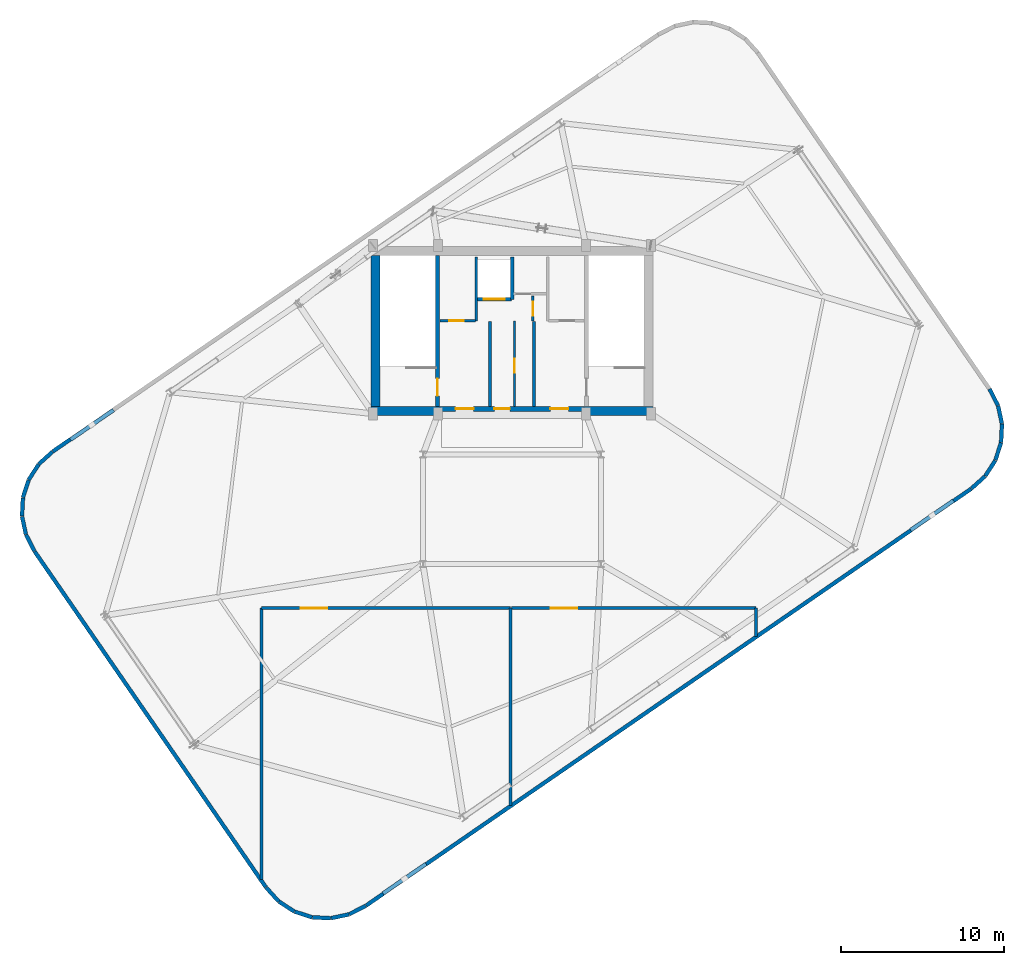
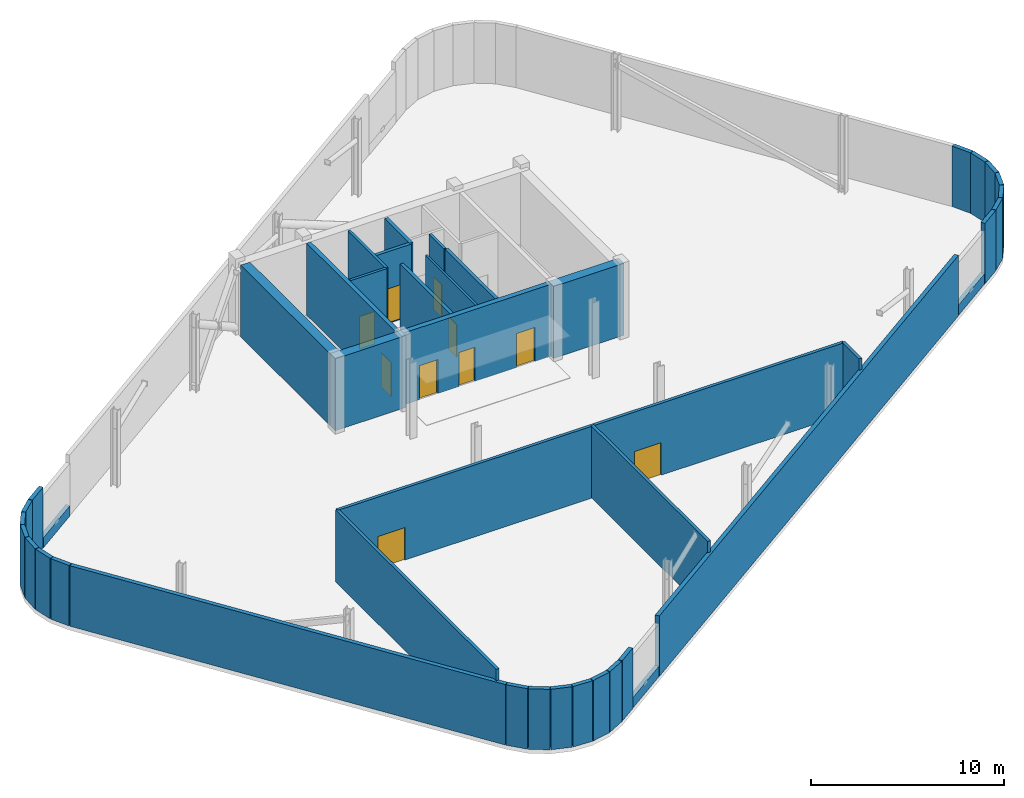
# One storey, part 8 of 10: 44 walls, 10 doors, 10 openings.
"""IFC4 building model written with IfcOpenShell, lengths in metres."""

from ifc_helpers import new_model, si_unit, direction, frame, frame_2d, origin, place, context, subcontext, project, spatial, rectangle, extrude, material, layer, layer_set, type_object, element, fill, save


model = new_model("IFC4")

# Units and contexts
model_context = context("Model", 3, precision=1e-05, world=origin(), true_north=direction((0.0, 1.0)))
body_context = subcontext(model_context, "Body", "Model", "MODEL_VIEW")
ifc_project = project(units=[si_unit("LENGTHUNIT", "METRE"), si_unit("AREAUNIT", "SQUARE_METRE"), si_unit("VOLUMEUNIT", "CUBIC_METRE"), si_unit("PLANEANGLEUNIT", "RADIAN"), si_unit("MASSUNIT", "GRAM", prefix="KILO")], contexts=[model_context])

# Site, building, storey
site_placement = place(None, origin())
site = spatial("IfcSite", under=ifc_project, at=site_placement, CompositionType="ELEMENT")
building_placement = place(site_placement, origin())
building = spatial("IfcBuilding", under=site, at=building_placement, Name="Varnelok Gate Tower", CompositionType="ELEMENT")
storey_placement = place(building_placement, frame((0.0, 0.0, 305.89990234375)))
storey = spatial("IfcBuildingStorey", under=building, at=storey_placement, Name="L78", CompositionType="ELEMENT", Elevation=305.89990234375)

# Walls
ifc_material_1 = material(Name="Concrete C45/55", Category="concrete")
ifc_layer_1 = layer(ifc_material_1, 0.239990234375)
ifc_layer_set_1 = layer_set([ifc_layer_1], Name="Concrete C45/55")
wall_type_1 = type_object("IfcWallType", Name="EW-PLANT-240", PredefinedType="SOLIDWALL", material=ifc_layer_set_1)
for number, where, z_axis, x_axis, name in (
    (1, (33.940673828125, 1.204345703125, 0.0), (0.0, 0.0, 1.0), (-0.823538491217, -0.567260393015, 0.0), "L78 Plant Louvre Sill Wall S1"),
    (2, (66.222900390625, 23.44140625, 0.0), (0.0, 0.0, 1.0), (-0.823538491217, -0.567260393015, 0.0), "L78 Plant Louvre Sill Wall S2"),
    (3, (12.177001953125, 27.15869140625, 0.0), (0.0, 0.0, 1.0), (0.823538491217, 0.567260393015, 0.0), "L78 Plant Louvre Sill Wall N1"),
):
    element("IfcWall", number, at=place(storey_placement, frame(where, z_axis=z_axis, x_axis=x_axis)), inside=storey, type_object=wall_type_1, Name=name, PredefinedType="SOLIDWALL", context=body_context, shape_type="SweptSolid", body=[
        extrude(rectangle(XDim=3.199951171875, YDim=0.239990234375, at=frame_2d((1.60009765625, 0.0))), origin(), (0.0, 0.0, 1.0), 0.650146484375),
    ])
wall_1_placement = place(storey_placement, frame((24.14990234375, -0.23583984375, 0.0), z_axis=(0.0, 0.0, 1.0), x_axis=(0.669796287773, -0.742544902942, 0.0)))
element("IfcWall", 4, at=wall_1_placement, inside=storey, type_object=wall_type_1, Name="L78 Perimeter Facade Closure Wall 1", PredefinedType="SOLIDWALL", context=body_context, shape_type="SweptSolid", body=[
    extrude(rectangle(XDim=1.151123046875, YDim=0.239990234375, at=frame_2d((0.57568359375, 0.0))), origin(), (0.0, 0.0, 1.0), 3.820068359375),
])
wall_2_placement = place(storey_placement, frame((24.94189453125, -1.10400390625, 0.0), z_axis=(0.0, 0.0, 1.0), x_axis=(0.839200958709, -0.54382143292, 0.0)))
element("IfcWall", 5, at=wall_2_placement, inside=storey, type_object=wall_type_1, Name="L78 Perimeter Facade Closure Wall 2", PredefinedType="SOLIDWALL", context=body_context, shape_type="SweptSolid", body=[
    extrude(rectangle(XDim=1.118408203125, YDim=0.239990234375, at=frame_2d((0.55908203125, 0.0))), origin(), (0.0, 0.0, 1.0), 3.820068359375),
])
for number, where, z_axis, x_axis, name in (
    (6, (25.904052734375, -1.7197265625, 0.0), (0.0, 0.0, 1.0), (0.951356078726, -0.308093510921, 0.0), "L78 Perimeter Facade Closure Wall 3"),
    (7, (26.992919921875, -2.0654296875, 0.0), (0.0, 0.0, 1.0), (0.998682791079, -0.051309675536, 0.0), "L78 Perimeter Facade Closure Wall 4"),
):
    element("IfcWall", number, at=place(storey_placement, frame(where, z_axis=z_axis, x_axis=x_axis)), inside=storey, type_object=wall_type_1, Name=name, PredefinedType="SOLIDWALL", context=body_context, shape_type="SweptSolid", body=[
        extrude(rectangle(XDim=1.1181640625, YDim=0.239990234375, at=frame_2d((0.55908203125, 0.0))), origin(), (0.0, 0.0, 1.0), 3.820068359375),
    ])
wall_3_placement = place(storey_placement, frame((28.1337890625, -2.11767578125, 0.0), z_axis=(0.0, 0.0, 1.0), x_axis=(0.977936381717, 0.208902927969, 0.0)))
element("IfcWall", 8, at=wall_3_placement, inside=storey, type_object=wall_type_1, Name="L78 Perimeter Facade Closure Wall 5", PredefinedType="SOLIDWALL", context=body_context, shape_type="SweptSolid", body=[
    extrude(rectangle(XDim=1.118408203125, YDim=0.239990234375, at=frame_2d((0.55908203125, 0.0))), origin(), (0.0, 0.0, 1.0), 3.820068359375),
])
wall_4_placement = place(storey_placement, frame((29.249755859375, -1.872802734375, 0.0), z_axis=(0.0, 0.0, 1.0), x_axis=(0.890446396874, 0.45508813904, 0.0)))
element("IfcWall", 9, at=wall_4_placement, inside=storey, type_object=wall_type_1, Name="L78 Perimeter Facade Closure Wall 6", PredefinedType="SOLIDWALL", context=body_context, shape_type="SweptSolid", body=[
    extrude(rectangle(XDim=1.1259765625, YDim=0.239990234375, at=frame_2d((0.56298828125, 0.0))), origin(), (0.0, 0.0, 1.0), 3.820068359375),
])
wall_5_placement = place(storey_placement, frame((30.273193359375, -1.34619140625, 0.0), z_axis=(0.0, 0.0, 1.0), x_axis=(0.823445590054, 0.567395241626, 0.0)))
element("IfcWall", 10, at=wall_5_placement, inside=storey, type_object=wall_type_1, Name="L78 Perimeter Facade Closure Wall 7", PredefinedType="SOLIDWALL", context=body_context, shape_type="SweptSolid", body=[
    extrude(rectangle(XDim=1.26708984375, YDim=0.239990234375, at=frame_2d((0.633544921875, 0.0))), origin(), (0.0, 0.0, 1.0), 3.820068359375),
])
wall_6_placement = place(storey_placement, frame((33.951904296875, 1.18798828125, 0.0), z_axis=(0.0, 0.0, 1.0), x_axis=(0.823534980344, 0.567265490005, 0.0)))
element("IfcWall", 11, at=wall_6_placement, inside=storey, type_object=wall_type_1, Name="L78 Perimeter Facade Closure Wall 8", PredefinedType="SOLIDWALL", context=body_context, shape_type="SweptSolid", body=[
    extrude(rectangle(XDim=36.010009765625, YDim=0.239990234375, at=frame_2d((18.0048828125, 0.0))), origin(), (0.0, 0.0, 1.0), 3.820068359375),
])
wall_7_placement = place(storey_placement, frame((66.22607421875, 23.419189453125, 0.0), z_axis=(0.0, 0.0, 1.0), x_axis=(0.823532901034, 0.567268508657, 0.0)))
element("IfcWall", 12, at=wall_7_placement, inside=storey, type_object=wall_type_1, Name="L78 Perimeter Facade Closure Wall 9", PredefinedType="SOLIDWALL", context=body_context, shape_type="SweptSolid", body=[
    extrude(rectangle(XDim=1.30224609375, YDim=0.239990234375, at=frame_2d((0.651123046875, 0.0))), origin(), (0.0, 0.0, 1.0), 3.820068359375),
])
wall_8_placement = place(storey_placement, frame((67.317138671875, 24.174560546875, 0.0), z_axis=(0.0, 0.0, 1.0), x_axis=(0.742485154891, 0.669862519303, 0.0)))
element("IfcWall", 13, at=wall_8_placement, inside=storey, type_object=wall_type_1, Name="L78 Perimeter Facade Closure Wall 10", PredefinedType="SOLIDWALL", context=body_context, shape_type="SweptSolid", body=[
    extrude(rectangle(XDim=1.126220703125, YDim=0.239990234375, at=frame_2d((0.56298828125, 0.0))), origin(), (0.0, 0.0, 1.0), 3.820068359375),
])
for number, where, z_axis, x_axis, name in (
    (14, (68.166748046875, 24.949951171875, 0.0), (0.0, 0.0, 1.0), (0.543667655746, 0.839300589834, 0.0), "L78 Perimeter Facade Closure Wall 11"),
    (15, (68.782470703125, 25.912109375, 0.0), (0.0, 0.0, 1.0), (0.308093510921, 0.951356078726, 0.0), "L78 Perimeter Facade Closure Wall 12"),
):
    element("IfcWall", number, at=place(storey_placement, frame(where, z_axis=z_axis, x_axis=x_axis)), inside=storey, type_object=wall_type_1, Name=name, PredefinedType="SOLIDWALL", context=body_context, shape_type="SweptSolid", body=[
        extrude(rectangle(XDim=1.1181640625, YDim=0.239990234375, at=frame_2d((0.55908203125, 0.0))), origin(), (0.0, 0.0, 1.0), 3.820068359375),
    ])
wall_9_placement = place(storey_placement, frame((69.128173828125, 27.0009765625, 0.0), z_axis=(0.0, 0.0, 1.0), x_axis=(0.051103050995, 0.998693385469, 0.0)))
element("IfcWall", 16, at=wall_9_placement, inside=storey, type_object=wall_type_1, Name="L78 Perimeter Facade Closure Wall 13", PredefinedType="SOLIDWALL", context=body_context, shape_type="SweptSolid", body=[
    extrude(rectangle(XDim=1.117919921875, YDim=0.239990234375, at=frame_2d((0.55908203125, 0.0))), origin(), (0.0, 0.0, 1.0), 3.820068359375),
])
wall_10_placement = place(storey_placement, frame((69.18017578125, 28.141845703125, 0.0), z_axis=(0.0, 0.0, 1.0), x_axis=(-0.208902927969, 0.977936381717, 0.0)))
element("IfcWall", 17, at=wall_10_placement, inside=storey, type_object=wall_type_1, Name="L78 Perimeter Facade Closure Wall 14", PredefinedType="SOLIDWALL", context=body_context, shape_type="SweptSolid", body=[
    extrude(rectangle(XDim=1.118408203125, YDim=0.239990234375, at=frame_2d((0.55908203125, 0.0))), origin(), (0.0, 0.0, 1.0), 3.820068359375),
])
wall_11_placement = place(storey_placement, frame((68.935302734375, 29.2578125, 0.0), z_axis=(0.0, 0.0, 1.0), x_axis=(-0.45508813904, 0.890446396874, 0.0)))
element("IfcWall", 18, at=wall_11_placement, inside=storey, type_object=wall_type_1, Name="L78 Perimeter Facade Closure Wall 15", PredefinedType="SOLIDWALL", context=body_context, shape_type="SweptSolid", body=[
    extrude(rectangle(XDim=1.1259765625, YDim=0.239990234375, at=frame_2d((0.56298828125, 0.0))), origin(), (0.0, 0.0, 1.0), 3.820068359375),
])
wall_12_placement = place(storey_placement, frame((12.173828125, 27.180908203125, 0.0), z_axis=(0.0, 0.0, 1.0), x_axis=(-0.823532901034, -0.567268508657, 0.0)))
element("IfcWall", 19, at=wall_12_placement, inside=storey, type_object=wall_type_1, Name="L78 Perimeter Facade Closure Wall 25", PredefinedType="SOLIDWALL", context=body_context, shape_type="SweptSolid", body=[
    extrude(rectangle(XDim=1.30224609375, YDim=0.239990234375, at=frame_2d((0.651123046875, 0.0))), origin(), (0.0, 0.0, 1.0), 3.820068359375),
])
wall_13_placement = place(storey_placement, frame((11.0830078125, 26.42529296875, 0.0), z_axis=(0.0, 0.0, 1.0), x_axis=(-0.742592981257, -0.66974298368, 0.0)))
element("IfcWall", 20, at=wall_13_placement, inside=storey, type_object=wall_type_1, Name="L78 Perimeter Facade Closure Wall 26", PredefinedType="SOLIDWALL", context=body_context, shape_type="SweptSolid", body=[
    extrude(rectangle(XDim=1.1259765625, YDim=0.239990234375, at=frame_2d((0.56298828125, 0.0))), origin(), (0.0, 0.0, 1.0), 3.820068359375),
])
for number, where, z_axis, x_axis, name in (
    (21, (10.233154296875, 25.650146484375, 0.0), (0.0, 0.0, 1.0), (-0.543667655746, -0.839300589834, 0.0), "L78 Perimeter Facade Closure Wall 27"),
    (22, (9.61767578125, 24.687744140625, 0.0), (0.0, 0.0, 1.0), (-0.308093510921, -0.951356078726, 0.0), "L78 Perimeter Facade Closure Wall 28"),
    (23, (9.27197265625, 23.59912109375, 0.0), (0.0, 0.0, 1.0), (-0.051309675536, -0.998682791079, 0.0), "L78 Perimeter Facade Closure Wall 29"),
    (24, (9.2197265625, 22.4580078125, 0.0), (0.0, 0.0, 1.0), (0.208947532433, -0.977926852423, 0.0), "L78 Perimeter Facade Closure Wall 30"),
):
    element("IfcWall", number, at=place(storey_placement, frame(where, z_axis=z_axis, x_axis=x_axis)), inside=storey, type_object=wall_type_1, Name=name, PredefinedType="SOLIDWALL", context=body_context, shape_type="SweptSolid", body=[
        extrude(rectangle(XDim=1.1181640625, YDim=0.239990234375, at=frame_2d((0.55908203125, 0.0))), origin(), (0.0, 0.0, 1.0), 3.820068359375),
    ])
wall_14_placement = place(storey_placement, frame((9.464599609375, 21.34228515625, 0.0), z_axis=(0.0, 0.0, 1.0), x_axis=(0.45508813904, -0.890446396874, 0.0)))
element("IfcWall", 25, at=wall_14_placement, inside=storey, type_object=wall_type_1, Name="L78 Perimeter Facade Closure Wall 31", PredefinedType="SOLIDWALL", context=body_context, shape_type="SweptSolid", body=[
    extrude(rectangle(XDim=1.1259765625, YDim=0.239990234375, at=frame_2d((0.56298828125, 0.0))), origin(), (0.0, 0.0, 1.0), 3.820068359375),
])
wall_15_placement = place(storey_placement, frame((9.9912109375, 20.31884765625, 0.0), z_axis=(0.0, 0.0, 1.0), x_axis=(0.567271592362, -0.823530776898, 0.0)))
element("IfcWall", 26, at=wall_15_placement, inside=storey, type_object=wall_type_1, Name="L78 Perimeter Facade Closure Wall 32", PredefinedType="SOLIDWALL", context=body_context, shape_type="SweptSolid", body=[
    extrude(rectangle(XDim=24.934326171875, YDim=0.239990234375, at=frame_2d((12.46728515625, 0.0))), origin(), (0.0, 0.0, 1.0), 3.820068359375),
])

# Wall, opening, door
ifc_material_2 = material(Name="Gypsum Plasterboard Acoustic Partition", Category="gypsum")
ifc_layer_2 = layer(ifc_material_2, 0.179931640625)
ifc_layer_set_2 = layer_set([ifc_layer_2], Name="Gypsum Plasterboard Acoustic Partition")
wall_type_2 = type_object("IfcWallType", Name="PW-CORR-180", PredefinedType="PARTITIONING", material=ifc_layer_set_2)
wall_16_placement = place(storey_placement, frame((23.8798828125, 16.85009765625, 0.0), z_axis=(0.0, 0.0, 1.0), x_axis=(1.0, 0.0, 0.0)))
wall_16 = element("IfcWall", 27, at=wall_16_placement, inside=storey, type_object=wall_type_2, Name="Interior Partition", PredefinedType="PARTITIONING", context=body_context, shape_type="SweptSolid", body=[
    extrude(rectangle(XDim=15.240234375, YDim=0.179931640625, at=frame_2d((7.6201171875, 0.0))), origin(), (0.0, 0.0, 1.0), 4.5400390625),
])
opening_1_placement = place(wall_16_placement, frame((2.39990234375, 0.0, 0.0)))
opening_1 = element("IfcOpeningElement", 28, at=opening_1_placement, cuts=wall_16, Name="Opening D-PL", PredefinedType="OPENING", context=body_context, shape_type="SweptSolid", body=[
    extrude(rectangle(XDim=1.60009765625, YDim=2.050048828125, at=frame_2d((0.800048828125, 1.02490234375))), frame((0.0, 0.099853515625, 0.0), z_axis=(0.0, -1.0, 0.0), x_axis=(1.0, 0.0, 0.0)), (0.0, 0.0, 1.0), 0.199951171875),
])
ifc_material_3 = material(Name="Galvanized Steel Grade S350GD", Category="steel")
door_type_1 = type_object("IfcDoorType", Name="DR-PLANT-1600", OperationType="DOUBLE_DOOR_SINGLE_SWING", PredefinedType="DOOR", material=ifc_material_3)
door_1_placement = place(opening_1_placement, origin())
door_1 = element("IfcDoor", 29, at=door_1_placement, inside=storey, type_object=door_type_1, Name="L78 Mechanical Plant Bay 1 Double Door", OperationType="DOUBLE_DOOR_SINGLE_SWING", OverallHeight=2.050048828125, OverallWidth=1.60009765625, PredefinedType="DOOR", context=body_context, shape_type="SweptSolid", body=[
    extrude(rectangle(XDim=1.60009765625, YDim=2.050048828125, at=frame_2d((0.800048828125, 1.02490234375))), frame((0.0, 0.02490234375, 0.0), z_axis=(0.0, -1.0, 0.0), x_axis=(1.0, 0.0, 0.0)), (0.0, 0.0, 1.0), 0.050048828125),
])
fill(opening_1, door_1)

# Walls
wall_17_placement = place(storey_placement, frame((39.1201171875, 4.772216796875, 0.0), z_axis=(0.0, 0.0, 1.0), x_axis=(0.0, 1.0, 0.0)))
element("IfcWall", 30, at=wall_17_placement, inside=storey, type_object=wall_type_2, Name="Interior Partition", PredefinedType="PARTITIONING", context=body_context, shape_type="SweptSolid", body=[
    extrude(rectangle(XDim=12.077880859375, YDim=0.179931640625, at=frame_2d((6.0390625, 0.0))), origin(), (0.0, 0.0, 1.0), 4.5400390625),
])
wall_18_placement = place(storey_placement, frame((23.8798828125, 0.25, 0.0), z_axis=(0.0, 0.0, 1.0), x_axis=(0.0, 1.0, 0.0)))
element("IfcWall", 31, at=wall_18_placement, inside=storey, type_object=wall_type_2, Name="Interior Partition", PredefinedType="PARTITIONING", context=body_context, shape_type="SweptSolid", body=[
    extrude(rectangle(XDim=16.60009765625, YDim=0.179931640625, at=frame_2d((8.300048828125, 0.0))), origin(), (0.0, 0.0, 1.0), 4.5400390625),
])

# Wall, opening, door
wall_19_placement = place(storey_placement, frame((39.179931640625, 16.85009765625, 0.0), z_axis=(0.0, 0.0, 1.0), x_axis=(1.0, 0.0, 0.0)))
wall_19 = element("IfcWall", 32, at=wall_19_placement, inside=storey, type_object=wall_type_2, Name="Interior Partition", PredefinedType="PARTITIONING", context=body_context, shape_type="SweptSolid", body=[
    extrude(rectangle(XDim=14.940185546875, YDim=0.179931640625, at=frame_2d((7.47021484375, 0.0))), origin(), (0.0, 0.0, 1.0), 4.5400390625),
])
opening_2_placement = place(wall_19_placement, frame((2.39990234375, 0.0, 0.0)))
opening_2 = element("IfcOpeningElement", 33, at=opening_2_placement, cuts=wall_19, Name="Opening D-PL", PredefinedType="OPENING", context=body_context, shape_type="SweptSolid", body=[
    extrude(rectangle(XDim=1.60009765625, YDim=2.050048828125, at=frame_2d((0.800048828125, 1.02490234375))), frame((0.0, 0.099853515625, 0.0), z_axis=(0.0, -1.0, 0.0), x_axis=(1.0, 0.0, 0.0)), (0.0, 0.0, 1.0), 0.199951171875),
])
door_2_placement = place(opening_2_placement, origin())
door_2 = element("IfcDoor", 34, at=door_2_placement, inside=storey, type_object=door_type_1, Name="L78 Mechanical Plant Bay 2 Double Door", OperationType="DOUBLE_DOOR_SINGLE_SWING", OverallHeight=2.050048828125, OverallWidth=1.60009765625, PredefinedType="DOOR", context=body_context, shape_type="SweptSolid", body=[
    extrude(rectangle(XDim=1.60009765625, YDim=2.050048828125, at=frame_2d((0.800048828125, 1.02490234375))), frame((0.0, 0.02490234375, 0.0), z_axis=(0.0, -1.0, 0.0), x_axis=(1.0, 0.0, 0.0)), (0.0, 0.0, 1.0), 0.050048828125),
])
fill(opening_2, door_2)

# Wall
wall_20_placement = place(storey_placement, frame((54.1201171875, 15.1044921875, 0.0), z_axis=(0.0, 0.0, 1.0), x_axis=(0.0, 1.0, 0.0)))
element("IfcWall", 35, at=wall_20_placement, inside=storey, type_object=wall_type_2, Name="Interior Partition", PredefinedType="PARTITIONING", context=body_context, shape_type="SweptSolid", body=[
    extrude(rectangle(XDim=1.74560546875, YDim=0.179931640625, at=frame_2d((0.872802734375, 0.0))), origin(), (0.0, 0.0, 1.0), 4.5400390625),
])

# Wall, opening, door
ifc_layer_3 = layer(ifc_material_2, 0.125)
ifc_layer_set_3 = layer_set([ifc_layer_3], Name="Gypsum Plasterboard Acoustic Partition")
wall_type_3 = type_object("IfcWallType", Name="PW-PART-125", PredefinedType="PARTITIONING", material=ifc_layer_set_3)
wall_21_placement = place(storey_placement, frame((39.35009765625, 29.199951171875, 0.0), z_axis=(0.0, 0.0, 1.0), x_axis=(0.0, 1.0, 0.0)))
wall_21 = element("IfcWall", 36, at=wall_21_placement, inside=storey, type_object=wall_type_3, Name="Interior Partition", PredefinedType="PARTITIONING", context=body_context, shape_type="SweptSolid", body=[
    extrude(rectangle(XDim=5.219970703125, YDim=0.125, at=frame_2d((2.60986328125, 0.0))), origin(), (0.0, 0.0, 1.0), 4.5400390625),
])
opening_3_placement = place(wall_21_placement, frame((2.050048828125, 0.0, 0.0)))
opening_3 = element("IfcOpeningElement", 37, at=opening_3_placement, cuts=wall_21, Name="Opening D-RS", PredefinedType="OPENING", context=body_context, shape_type="SweptSolid", body=[
    extrude(rectangle(XDim=0.85009765625, YDim=2.050048828125, at=frame_2d((0.425048828125, 1.02490234375))), frame((0.0, 0.072509765625, 0.0), z_axis=(0.0, -1.0, 0.0), x_axis=(1.0, 0.0, 0.0)), (0.0, 0.0, 1.0), 0.14501953125),
])
door_type_2 = type_object("IfcDoorType", Name="DR-RISER-850", OperationType="NOTDEFINED", PredefinedType="DOOR", material=ifc_material_3)
door_3_placement = place(opening_3_placement, origin())
door_3 = element("IfcDoor", 38, at=door_3_placement, inside=storey, type_object=door_type_2, Name="L78 Housekeeping Linen Door", OperationType="SINGLE_SWING_RIGHT", OverallHeight=2.050048828125, OverallWidth=0.85009765625, PredefinedType="DOOR", context=body_context, shape_type="SweptSolid", body=[
    extrude(rectangle(XDim=0.85009765625, YDim=2.050048828125, at=frame_2d((0.425048828125, 1.02490234375))), frame((0.0, 0.02490234375, 0.0), z_axis=(0.0, -1.0, 0.0), x_axis=(1.0, 0.0, 0.0)), (0.0, 0.0, 1.0), 0.050048828125),
])
fill(opening_3, door_3)

ifc_layer_4 = layer(ifc_material_2, 0.14990234375)
ifc_layer_set_4 = layer_set([ifc_layer_4], Name="Gypsum Plasterboard Acoustic Partition")
wall_type_4 = type_object("IfcWallType", Name="PW-PART-150", PredefinedType="PARTITIONING", material=ifc_layer_set_4)
wall_22_placement = place(storey_placement, frame((34.800048828125, 34.43994140625, 0.0), z_axis=(0.0, 0.0, 1.0), x_axis=(1.0, 0.0, 0.0)))
wall_22 = element("IfcWall", 39, at=wall_22_placement, inside=storey, type_object=wall_type_4, Name="Interior Partition", PredefinedType="PARTITIONING", context=body_context, shape_type="SweptSolid", body=[
    extrude(rectangle(XDim=2.159912109375, YDim=0.14990234375, at=frame_2d((1.080078125, 0.0))), origin(), (0.0, 0.0, 1.0), 4.5400390625),
])
opening_4_placement = place(wall_22_placement, frame((0.550048828125, 0.0, 0.0)))
opening_4 = element("IfcOpeningElement", 40, at=opening_4_placement, cuts=wall_22, Name="Opening D-I4", PredefinedType="OPENING", context=body_context, shape_type="SweptSolid", body=[
    extrude(rectangle(XDim=0.89990234375, YDim=2.050048828125, at=frame_2d((0.449951171875, 1.02490234375))), frame((0.0, 0.0849609375, 0.0), z_axis=(0.0, -1.0, 0.0), x_axis=(1.0, 0.0, 0.0)), (0.0, 0.0, 1.0), 0.169921875),
])
ifc_material_4 = material(Name="Engineered Hardwood Timber", Category="wood")
door_type_3 = type_object("IfcDoorType", Name="DR-INT-900", OperationType="NOTDEFINED", PredefinedType="DOOR", material=ifc_material_4)
door_4_placement = place(opening_4_placement, origin())
door_4 = element("IfcDoor", 41, at=door_4_placement, inside=storey, type_object=door_type_3, Name="L78 Fire Pump Store Door", OperationType="SINGLE_SWING_RIGHT", OverallHeight=2.050048828125, OverallWidth=0.89990234375, PredefinedType="DOOR", context=body_context, shape_type="SweptSolid", body=[
    extrude(rectangle(XDim=0.89990234375, YDim=2.050048828125, at=frame_2d((0.449951171875, 1.02490234375))), frame((0.0, 0.02490234375, 0.0), z_axis=(0.0, -1.0, 0.0), x_axis=(1.0, 0.0, 0.0)), (0.0, 0.0, 1.0), 0.050048828125),
])
fill(opening_4, door_4)

# Wall
wall_23_placement = place(storey_placement, frame((37.0, 34.43994140625, 0.0), z_axis=(0.0, 0.0, 1.0), x_axis=(0.0, 1.0, 0.0)))
element("IfcWall", 42, at=wall_23_placement, inside=storey, type_object=wall_type_4, Name="Interior Partition", PredefinedType="PARTITIONING", context=body_context, shape_type="SweptSolid", body=[
    extrude(rectangle(XDim=3.900146484375, YDim=0.14990234375, at=frame_2d((1.9501953125, 0.0))), origin(), (0.0, 0.0, 1.0), 4.5400390625),
])

# Wall, opening, door
wall_24_placement = place(storey_placement, frame((40.47998046875, 34.43994140625, 0.0), z_axis=(0.0, 0.0, 1.0), x_axis=(0.0, 1.0, 0.0)))
wall_24 = element("IfcWall", 43, at=wall_24_placement, inside=storey, type_object=wall_type_4, Name="L78 Telecoms Closet West Wall", PredefinedType="PARTITIONING", context=body_context, shape_type="SweptSolid", body=[
    extrude(rectangle(XDim=1.52001953125, YDim=0.14990234375, at=frame_2d((0.760009765625, 0.0))), origin(), (0.0, 0.0, 1.0), 4.5400390625),
])
opening_5_placement = place(wall_24_placement, frame((0.320068359375, 0.0, 0.0)))
opening_5 = element("IfcOpeningElement", 44, at=opening_5_placement, cuts=wall_24, Name="Opening D-RS", PredefinedType="OPENING", context=body_context, shape_type="SweptSolid", body=[
    extrude(rectangle(XDim=0.85009765625, YDim=2.050048828125, at=frame_2d((0.425048828125, 1.02490234375))), frame((0.0, 0.0849609375, 0.0), z_axis=(0.0, -1.0, 0.0), x_axis=(1.0, 0.0, 0.0)), (0.0, 0.0, 1.0), 0.169921875),
])
door_5_placement = place(opening_5_placement, origin())
door_5 = element("IfcDoor", 45, at=door_5_placement, inside=storey, type_object=door_type_2, Name="L78 Telecoms Closet Door", OperationType="SINGLE_SWING_LEFT", OverallHeight=2.050048828125, OverallWidth=0.85009765625, PredefinedType="DOOR", context=body_context, shape_type="SweptSolid", body=[
    extrude(rectangle(XDim=0.85009765625, YDim=2.050048828125, at=frame_2d((0.425048828125, 1.02490234375))), frame((0.0, 0.02490234375, 0.0), z_axis=(0.0, -1.0, 0.0), x_axis=(1.0, 0.0, 0.0)), (0.0, 0.0, 1.0), 0.050048828125),
])
fill(opening_5, door_5)

# Walls
ifc_material_5 = material(Name="Concrete C35/45", Category="concrete")
ifc_layer_5 = layer(ifc_material_5, 0.199951171875)
ifc_layer_set_5 = layer_set([ifc_layer_5], Name="Concrete C35/45")
wall_type_5 = type_object("IfcWallType", Name="PW-SHAFT-200", PredefinedType="PARTITIONING", material=ifc_layer_set_5)
for number, where, z_axis, x_axis, name in (
    (46, (37.860107421875, 29.199951171875, 0.0), (0.0, 0.0, 1.0), (0.0, 1.0, 0.0), "L78 West FF Lobby Rated Wall"),
    (47, (40.5400390625, 29.199951171875, 0.0), (0.0, 0.0, 1.0), (0.0, 1.0, 0.0), "L78 East FF Lobby Rated Wall"),
):
    element("IfcWall", number, at=place(storey_placement, frame(where, z_axis=z_axis, x_axis=x_axis)), inside=storey, type_object=wall_type_5, Name=name, PredefinedType="PARTITIONING", context=body_context, shape_type="SweptSolid", body=[
        extrude(rectangle(XDim=5.179931640625, YDim=0.199951171875, at=frame_2d((2.58984375, 0.0))), origin(), (0.0, 0.0, 1.0), 4.5400390625),
    ])

# Wall, opening, door
wall_25_placement = place(storey_placement, frame((37.06005859375, 35.75, 0.0), z_axis=(0.0, 0.0, 1.0), x_axis=(1.0, 0.0, 0.0)))
wall_25 = element("IfcWall", 48, at=wall_25_placement, inside=storey, type_object=wall_type_5, Name="L78 SV1 Shaft Front Wall", PredefinedType="PARTITIONING", context=body_context, shape_type="SweptSolid", body=[
    extrude(rectangle(XDim=2.119873046875, YDim=0.199951171875, at=frame_2d((1.06005859375, 0.0))), origin(), (0.0, 0.0, 1.0), 4.5400390625),
])
opening_6_placement = place(wall_25_placement, frame((0.39990234375, 0.0, 0.0)))
opening_6 = element("IfcOpeningElement", 49, at=opening_6_placement, cuts=wall_25, Name="Opening LD-SV1", PredefinedType="OPENING", context=body_context, shape_type="SweptSolid", body=[
    extrude(rectangle(XDim=1.300048828125, YDim=2.199951171875, at=frame_2d((0.64990234375, 1.10009765625))), frame((0.0, 0.10986328125, 0.0), z_axis=(0.0, -1.0, 0.0), x_axis=(1.0, 0.0, 0.0)), (0.0, 0.0, 1.0), 0.219970703125),
])
door_type_4 = type_object("IfcDoorType", Name="DR-LIFT-SV1300", OperationType="SLIDING_TO_LEFT", PredefinedType="DOOR", material=ifc_material_3)
door_6_placement = place(opening_6_placement, origin())
door_6 = element("IfcDoor", 50, at=door_6_placement, inside=storey, type_object=door_type_4, Name="L78 Service Lift Landing Door LD-SV1", OperationType="SLIDING_TO_LEFT", OverallHeight=2.199951171875, OverallWidth=1.300048828125, PredefinedType="DOOR", context=body_context, shape_type="SweptSolid", body=[
    extrude(rectangle(XDim=1.300048828125, YDim=2.199951171875, at=frame_2d((0.64990234375, 1.10009765625))), frame((0.0, 0.02490234375, 0.0), z_axis=(0.0, -1.0, 0.0), x_axis=(1.0, 0.0, 0.0)), (0.0, 0.0, 1.0), 0.050048828125),
])
fill(opening_6, door_6)

# Walls
wall_26_placement = place(storey_placement, frame((39.219970703125, 35.75, 0.0), z_axis=(0.0, 0.0, 1.0), x_axis=(0.0, 1.0, 0.0)))
element("IfcWall", 51, at=wall_26_placement, inside=storey, type_object=wall_type_5, Name="L78 SV1 Shaft East Wall", PredefinedType="PARTITIONING", context=body_context, shape_type="SweptSolid", body=[
    extrude(rectangle(XDim=2.590087890625, YDim=0.199951171875, at=frame_2d((1.294921875, 0.0))), origin(), (0.0, 0.0, 1.0), 4.5400390625),
])
ifc_material_6 = material(Name="Concrete C60/75", Category="concrete")
ifc_layer_6 = layer(ifc_material_6, 0.550048828125)
ifc_layer_set_6 = layer_set([ifc_layer_6], Name="Concrete C60/75")
wall_type_6 = type_object("IfcWallType", Name="SW-CORE-550", PredefinedType="SHEAR", material=ifc_layer_set_6)
wall_27_placement = place(storey_placement, frame((30.85498046875, 29.199951171875, 0.0), z_axis=(0.0, 0.0, 1.0), x_axis=(0.0, 1.0, 0.0)))
element("IfcWall", 52, at=wall_27_placement, inside=storey, type_object=wall_type_6, Name="L78 Rear Core West Shear Wall", PredefinedType="SHEAR", context=body_context, shape_type="SweptSolid", body=[
    extrude(rectangle(XDim=9.219970703125, YDim=0.550048828125, at=frame_2d((4.60986328125, 0.0))), origin(), (0.0, 0.0, 1.0), 4.5400390625),
])
for number, where, z_axis, x_axis, name in (
    (53, (30.580078125, 28.925048828125, 0.0), (0.0, 0.0, 1.0), (1.0, 0.0, 0.0), "L78 Rear Core South-West Shear Wall"),
    (54, (43.60009765625, 28.925048828125, 0.0), (0.0, 0.0, 1.0), (1.0, 0.0, 0.0), "L78 Rear Core South-East Shear Wall"),
):
    element("IfcWall", number, at=place(storey_placement, frame(where, z_axis=z_axis, x_axis=x_axis)), inside=storey, type_object=wall_type_6, Name=name, PredefinedType="SHEAR", context=body_context, shape_type="SweptSolid", body=[
        extrude(rectangle(XDim=4.219970703125, YDim=0.550048828125, at=frame_2d((2.10986328125, 0.0))), origin(), (0.0, 0.0, 1.0), 4.5400390625),
    ])

# Wall, opening, door
ifc_layer_7 = layer(ifc_material_6, 0.25)
ifc_layer_set_7 = layer_set([ifc_layer_7], Name="Concrete C60/75")
wall_type_7 = type_object("IfcWallType", Name="SW-SHAFT-250", PredefinedType="SHEAR", material=ifc_layer_set_7)
wall_28_placement = place(storey_placement, frame((34.639892578125, 29.199951171875, 0.0), z_axis=(0.0, 0.0, 1.0), x_axis=(0.0, 1.0, 0.0)))
wall_28 = element("IfcWall", 55, at=wall_28_placement, inside=storey, type_object=wall_type_7, Name="L78 Stair ST-1 East Shear Wall", PredefinedType="SHEAR", context=body_context, shape_type="SweptSolid", body=[
    extrude(rectangle(XDim=9.219970703125, YDim=0.25, at=frame_2d((4.60986328125, 0.0))), origin(), (0.0, 0.0, 1.0), 4.5400390625),
])
opening_7_placement = place(wall_28_placement, frame((0.64990234375, 0.0, 0.0)))
opening_7 = element("IfcOpeningElement", 56, at=opening_7_placement, cuts=wall_28, Name="Opening D-ST", PredefinedType="OPENING", context=body_context, shape_type="SweptSolid", body=[
    extrude(rectangle(XDim=1.050048828125, YDim=2.14990234375, at=frame_2d((0.52490234375, 1.074951171875))), frame((0.0, 0.135009765625, 0.0), z_axis=(0.0, -1.0, 0.0), x_axis=(1.0, 0.0, 0.0)), (0.0, 0.0, 1.0), 0.27001953125),
])
door_type_5 = type_object("IfcDoorType", Name="DR-STAIR-1050", OperationType="NOTDEFINED", PredefinedType="DOOR", material=ifc_material_3)
door_7_placement = place(opening_7_placement, origin())
door_7 = element("IfcDoor", 57, at=door_7_placement, inside=storey, type_object=door_type_5, Name="L78 Exit Stair ST-1 Fire Door", OperationType="SINGLE_SWING_LEFT", OverallHeight=2.14990234375, OverallWidth=1.050048828125, PredefinedType="DOOR", context=body_context, shape_type="SweptSolid", body=[
    extrude(rectangle(XDim=1.050048828125, YDim=2.14990234375, at=frame_2d((0.52490234375, 1.074951171875))), frame((0.0, 0.02490234375, 0.0), z_axis=(0.0, -1.0, 0.0), x_axis=(1.0, 0.0, 0.0)), (0.0, 0.0, 1.0), 0.050048828125),
])
fill(opening_7, door_7)

# Wall, openings, doors
ifc_layer_8 = layer(ifc_material_6, 0.300048828125)
ifc_layer_set_8 = layer_set([ifc_layer_8], Name="Concrete C60/75")
wall_type_8 = type_object("IfcWallType", Name="SW-SHAFT-300", PredefinedType="SHEAR", material=ifc_layer_set_8)
wall_29_placement = place(storey_placement, frame((34.800048828125, 29.050048828125, 0.0), z_axis=(0.0, 0.0, 1.0), x_axis=(1.0, 0.0, 0.0)))
wall_29 = element("IfcWall", 58, at=wall_29_placement, inside=storey, type_object=wall_type_8, Name="L78 Rear Core Central Lobby Shear Wall", PredefinedType="SHEAR", context=body_context, shape_type="SweptSolid", body=[
    extrude(rectangle(XDim=8.800048828125, YDim=0.300048828125, at=frame_2d((4.39990234375, 0.0))), origin(), (0.0, 0.0, 1.0), 4.5400390625),
])
opening_8_placement = place(wall_29_placement, frame((0.949951171875, 0.0, 0.0)))
opening_8 = element("IfcOpeningElement", 59, at=opening_8_placement, cuts=wall_29, Name="Opening D-FF", PredefinedType="OPENING", context=body_context, shape_type="SweptSolid", body=[
    extrude(rectangle(XDim=1.10009765625, YDim=2.14990234375, at=frame_2d((0.550048828125, 1.074951171875))), frame((0.0, 0.159912109375, 0.0), z_axis=(0.0, -1.0, 0.0), x_axis=(1.0, 0.0, 0.0)), (0.0, 0.0, 1.0), 0.320068359375),
])
opening_9_placement = place(wall_29_placement, frame((6.75, 0.0, 0.0)))
opening_9 = element("IfcOpeningElement", 60, at=opening_9_placement, cuts=wall_29, Name="Opening D-FF", PredefinedType="OPENING", context=body_context, shape_type="SweptSolid", body=[
    extrude(rectangle(XDim=1.10009765625, YDim=2.14990234375, at=frame_2d((0.550048828125, 1.074951171875))), frame((0.0, 0.159912109375, 0.0), z_axis=(0.0, -1.0, 0.0), x_axis=(1.0, 0.0, 0.0)), (0.0, 0.0, 1.0), 0.320068359375),
])
opening_10_placement = place(wall_29_placement, frame((3.320068359375, 0.0, 0.0)))
opening_10 = element("IfcOpeningElement", 61, at=opening_10_placement, cuts=wall_29, Name="Opening D-CR", PredefinedType="OPENING", context=body_context, shape_type="SweptSolid", body=[
    extrude(rectangle(XDim=0.949951171875, YDim=2.14990234375, at=frame_2d((0.47509765625, 1.074951171875))), frame((0.0, 0.159912109375, 0.0), z_axis=(0.0, -1.0, 0.0), x_axis=(1.0, 0.0, 0.0)), (0.0, 0.0, 1.0), 0.320068359375),
])
door_type_6 = type_object("IfcDoorType", Name="DR-CORR-950", OperationType="NOTDEFINED", PredefinedType="DOOR", material=ifc_material_3)
door_8_placement = place(opening_10_placement, origin())
door_8 = element("IfcDoor", 62, at=door_8_placement, inside=storey, type_object=door_type_6, Name="L78 Core Service Passage Door", OperationType="SINGLE_SWING_LEFT", OverallHeight=2.14990234375, OverallWidth=0.949951171875, PredefinedType="DOOR", context=body_context, shape_type="SweptSolid", body=[
    extrude(rectangle(XDim=0.949951171875, YDim=2.14990234375, at=frame_2d((0.47509765625, 1.074951171875))), frame((0.0, 0.02490234375, 0.0), z_axis=(0.0, -1.0, 0.0), x_axis=(1.0, 0.0, 0.0)), (0.0, 0.0, 1.0), 0.050048828125),
])
fill(opening_10, door_8)
door_type_7 = type_object("IfcDoorType", Name="DR-FFLOB-1100", OperationType="NOTDEFINED", PredefinedType="DOOR", material=ifc_material_3)
door_9_placement = place(opening_8_placement, origin())
door_9 = element("IfcDoor", 63, at=door_9_placement, inside=storey, type_object=door_type_7, Name="L78 West Firefighting Lobby Fire Door", OperationType="SINGLE_SWING_RIGHT", OverallHeight=2.14990234375, OverallWidth=1.10009765625, PredefinedType="DOOR", context=body_context, shape_type="SweptSolid", body=[
    extrude(rectangle(XDim=1.10009765625, YDim=2.14990234375, at=frame_2d((0.550048828125, 1.074951171875))), frame((0.0, 0.02490234375, 0.0), z_axis=(0.0, -1.0, 0.0), x_axis=(1.0, 0.0, 0.0)), (0.0, 0.0, 1.0), 0.050048828125),
])
fill(opening_8, door_9)
door_10_placement = place(opening_9_placement, origin())
door_10 = element("IfcDoor", 64, at=door_10_placement, inside=storey, type_object=door_type_7, Name="L78 East Firefighting Lobby Fire Door", OperationType="SINGLE_SWING_LEFT", OverallHeight=2.14990234375, OverallWidth=1.10009765625, PredefinedType="DOOR", context=body_context, shape_type="SweptSolid", body=[
    extrude(rectangle(XDim=1.10009765625, YDim=2.14990234375, at=frame_2d((0.550048828125, 1.074951171875))), frame((0.0, 0.02490234375, 0.0), z_axis=(0.0, -1.0, 0.0), x_axis=(1.0, 0.0, 0.0)), (0.0, 0.0, 1.0), 0.050048828125),
])
fill(opening_9, door_10)

save(model, "model.ifc")
